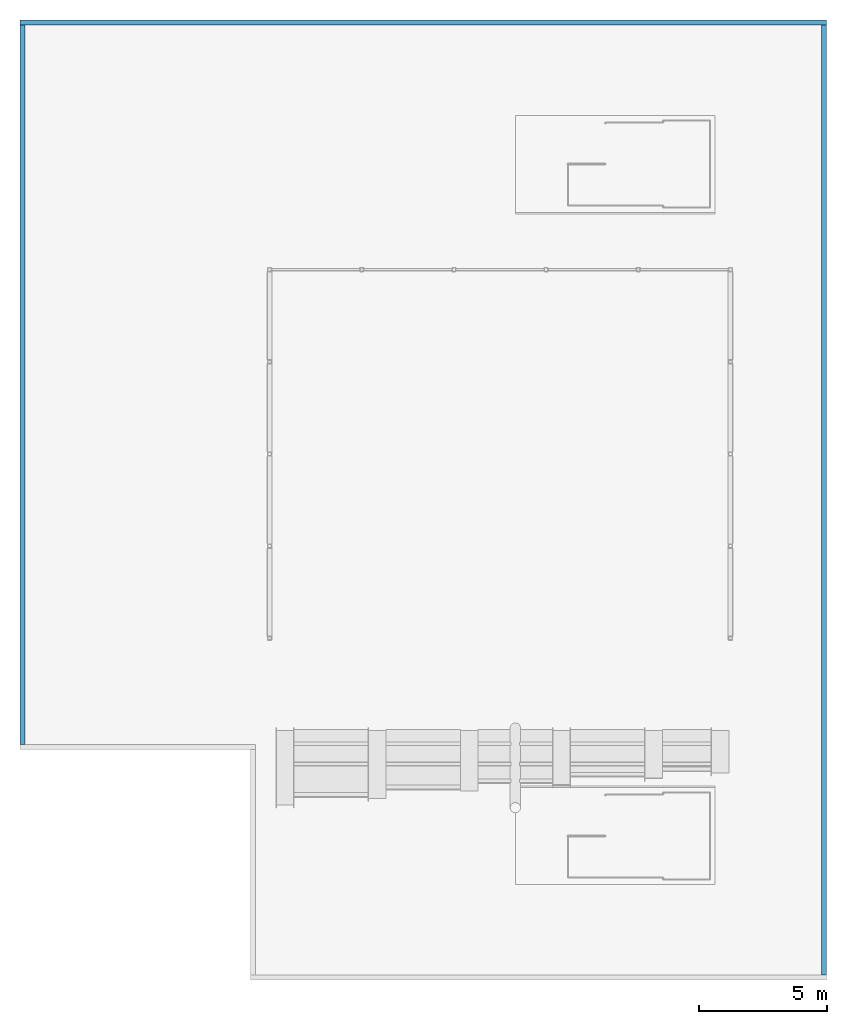
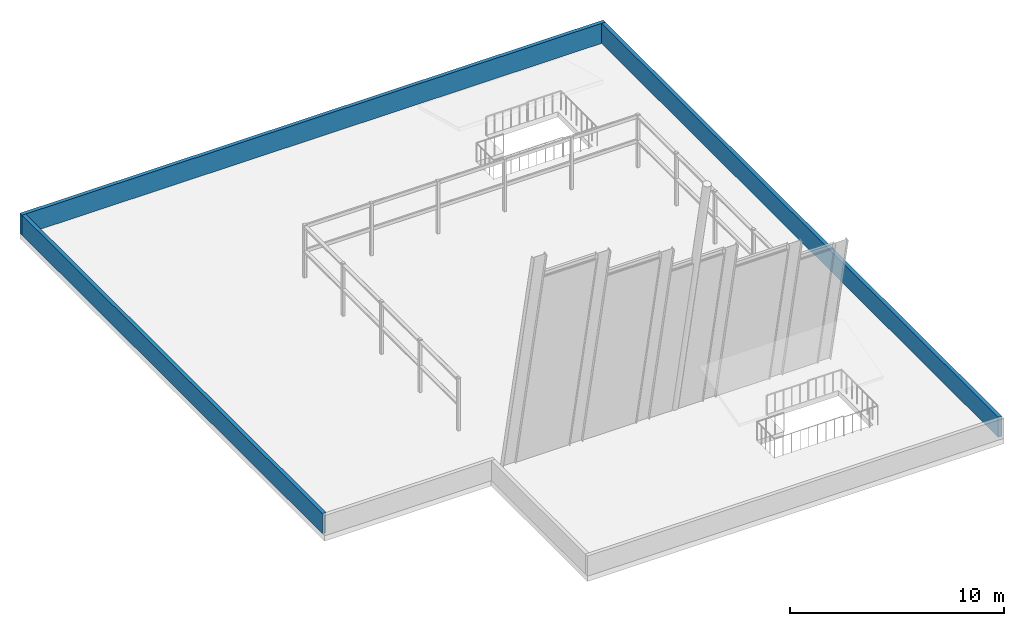
# One storey, part 4 of 5: 3 walls.
"""IFC4 building model written with IfcOpenShell, lengths in metres."""

import ifcopenshell
import ifcopenshell.guid

model = None  # the IFC model being written
_history = None  # IfcOwnerHistory: only IFC2X3 demands one
_inside = {}  # id of a spatial element -> (the spatial element, [elements in it])
_under = {}  # id of a project, library or spatial element -> (it, [spatial elements below it])
_declared = {}  # id of a project -> (the project, [libraries it declares])
_typed = {}  # id of a type object -> (the type object, [elements of that type])
_made_of = {}  # id of a material, layer set ... -> (it, [elements and type objects made of it])


def new_model(schema):
    """Start an empty IFC model of exactly this schema.

    Asked for "IFC4X3", IfcOpenShell would pick the latest addendum, in which some entities
    have other attributes; the version numbers below select the first issue.
    IFC2X3 requires an IfcOwnerHistory on every rooted entity: one is made here for all.
    """
    global model, _history
    if schema == "IFC4X3":
        model = ifcopenshell.file(schema_version=(4, 3, 0, 0))
    else:
        model = ifcopenshell.file(schema=schema)
    _inside.clear()
    _under.clear()
    _declared.clear()
    _typed.clear()
    _made_of.clear()
    _history = None
    if model.schema == "IFC2X3":
        org = make("IfcOrganization", Name="unknown")
        user = make(
            "IfcPersonAndOrganization",
            ThePerson=make("IfcPerson", FamilyName="unknown"),
            TheOrganization=org,
        )
        app = make(
            "IfcApplication",
            ApplicationDeveloper=org,
            Version="unknown",
            ApplicationFullName="unknown",
            ApplicationIdentifier="unknown",
        )
        _history = make(
            "IfcOwnerHistory",
            OwningUser=user,
            OwningApplication=app,
            ChangeAction="ADDED",
            CreationDate=0,
        )
    return model


def make(cls, **values):
    """One entity of the class cls with the attributes given. An attribute that is None is left unset."""
    return model.create_entity(
        cls, **{name: value for name, value in values.items() if value is not None}
    )


def rooted(cls, **values):
    """An entity with a GlobalId (a new one), such as an element, a storey or a relation."""
    return make(cls, GlobalId=ifcopenshell.guid.new(), OwnerHistory=_history, **values)


def si_unit(unit_type, name, prefix=None):
    """IfcSIUnit, for example si_unit("LENGTHUNIT", "METRE", prefix="MILLI")."""
    return make("IfcSIUnit", UnitType=unit_type, Prefix=prefix, Name=name)


def assignment(units):
    """IfcUnitAssignment: the units of a project."""
    return None if units is None else make("IfcUnitAssignment", Units=units)


def point(xyz):
    """IfcCartesianPoint."""
    return None if xyz is None else make("IfcCartesianPoint", Coordinates=xyz)


def direction(xyz):
    """IfcDirection."""
    return None if xyz is None else make("IfcDirection", DirectionRatios=xyz)


def frame(location, z_axis=None, x_axis=None):
    """IfcAxis2Placement3D, a coordinate frame: its origin and axes. An axis left out is left unset."""
    return make(
        "IfcAxis2Placement3D",
        Location=point(location),
        Axis=direction(z_axis),
        RefDirection=direction(x_axis),
    )


def frame_2d(location, x_axis=None):
    """IfcAxis2Placement2D, a coordinate frame in the plane: its origin and x axis."""
    return make(
        "IfcAxis2Placement2D", Location=point(location), RefDirection=direction(x_axis)
    )


def origin():
    """The frame at (0, 0, 0) with its axes left unset."""
    return frame((0.0, 0.0, 0.0))


def place(relative_to, where):
    """IfcLocalPlacement: puts the frame where relative to a parent placement (None: the world)."""
    return make(
        "IfcLocalPlacement", PlacementRelTo=relative_to, RelativePlacement=where
    )


def context(
    kind, dimensions, precision=None, world=None, true_north=None, identifier=None
):
    """IfcGeometricRepresentationContext, for example the 3D "Model" context."""
    return make(
        "IfcGeometricRepresentationContext",
        ContextIdentifier=identifier,
        ContextType=kind,
        CoordinateSpaceDimension=dimensions,
        Precision=precision,
        WorldCoordinateSystem=world,
        TrueNorth=true_north,
    )


def subcontext(parent, identifier, kind, view, scale=None):
    """IfcGeometricRepresentationSubContext, for example "Body" below "Model"."""
    return make(
        "IfcGeometricRepresentationSubContext",
        ContextIdentifier=identifier,
        ContextType=kind,
        ParentContext=parent,
        TargetScale=scale,
        TargetView=view,
    )


def project(units=None, contexts=None):
    """IfcProject with its units and contexts."""
    return rooted(
        "IfcProject",
        Name="project",
        RepresentationContexts=contexts,
        UnitsInContext=assignment(units),
    )


def spatial(cls, under=None, at=None, **own):
    """A site, building, storey or space (cls), placed at a placement, below another one or the project."""
    s = rooted(cls, ObjectPlacement=at, **own)
    if under is not None:
        _under.setdefault(under.id(), (under, []))[1].append(s)
    return s


def profile(cls, at=None, kind="AREA", **sizes):
    """A parametric profile (cls). Its sizes go by their IFC names, for example OverallWidth=200.0."""
    return make(cls, ProfileType=kind, Position=at, **sizes)


def rectangle(**sizes):
    """IfcRectangleProfileDef."""
    return profile("IfcRectangleProfileDef", **sizes)


def extrude(swept, where, along, depth):
    """IfcExtrudedAreaSolid: the profile swept, set in the frame where, extruded along a direction by depth."""
    return make(
        "IfcExtrudedAreaSolid",
        SweptArea=swept,
        Position=where,
        ExtrudedDirection=direction(along),
        Depth=depth,
    )


def shape(context_of_items, identifier, shape_type, items):
    """IfcShapeRepresentation: the items that make up one representation, for example the "Body"."""
    return make(
        "IfcShapeRepresentation",
        ContextOfItems=context_of_items,
        RepresentationIdentifier=identifier,
        RepresentationType=shape_type,
        Items=items,
    )


def material(Name=None, Category=None):
    """IfcMaterial."""
    return make("IfcMaterial", Name=Name, Category=Category)


def layer(
    of_material, thickness, ventilated=None, Name=None, Category=None, Priority=None
):
    """IfcMaterialLayer: one layer of a wall or slab, of a material (None: an air gap)."""
    return make(
        "IfcMaterialLayer",
        Material=of_material,
        LayerThickness=thickness,
        IsVentilated=ventilated,
        Name=Name,
        Category=Category,
        Priority=Priority,
    )


def layer_set(layers, Name=None):
    """IfcMaterialLayerSet."""
    return make("IfcMaterialLayerSet", MaterialLayers=layers, LayerSetName=Name)


def made_of(thing, what):
    """Note that an element or type object is made of a material, layer set ...; save() writes the relation."""
    if what is not None:
        _made_of.setdefault(what.id(), (what, []))[1].append(thing)
    return thing


def type_object(cls, material=None, **own):
    """A type object (cls), such as IfcWallType, which elements share."""
    return made_of(rooted(cls, **own), material)


def element(
    cls,
    number,
    at=None,
    inside=None,
    cuts=None,
    type_object=None,
    material=None,
    context=None,
    identifier="Body",
    shape_type=None,
    held_by="IfcProductDefinitionShape",
    body=None,
    shapes=None,
    **own,
):
    """One element of the class cls, such as IfcWall. Its Tag is "e" and its number.

    at: its placement. inside: the storey or other place that contains it. cuts: it is an
    opening in that element (IfcRelVoidsElement). A single representation is given by context,
    identifier, shape_type and body (its items); several are given by shapes. held_by: the class
    of the entity that holds the representations. save() writes the other relations.
    """
    e = rooted(cls, Tag="e%d" % number, ObjectPlacement=at, **own)
    if body is not None:
        shapes = [shape(context, identifier, shape_type, body)]
    if shapes is not None:
        e.Representation = make(held_by, Representations=shapes)
    if inside is not None:
        _inside.setdefault(inside.id(), (inside, []))[1].append(e)
    if cuts is not None:
        rooted(
            "IfcRelVoidsElement", RelatingBuildingElement=cuts, RelatedOpeningElement=e
        )
    if type_object is not None:
        _typed.setdefault(type_object.id(), (type_object, []))[1].append(e)
    return made_of(e, material)


def aggregate(whole, parts):
    """IfcRelAggregates: a whole, such as a stair, and the parts it consists of."""
    return rooted("IfcRelAggregates", RelatingObject=whole, RelatedObjects=parts)


def save(model, path):
    """Write the relations noted so far, then the file.

    IfcRelAggregates (storeys below a building ...), IfcRelContainedInSpatialStructure (elements
    in a storey), IfcRelDefinesByType, IfcRelAssociatesMaterial and IfcRelDeclares: one each for
    every whole, place, type object, material and project.
    """
    for whole, parts in _under.values():
        aggregate(whole, parts)
    for where, things in _inside.values():
        rooted(
            "IfcRelContainedInSpatialStructure",
            RelatedElements=things,
            RelatingStructure=where,
        )
    for kind, things in _typed.values():
        rooted("IfcRelDefinesByType", RelatedObjects=things, RelatingType=kind)
    for what, things in _made_of.values():
        rooted("IfcRelAssociatesMaterial", RelatedObjects=things, RelatingMaterial=what)
    for by, libraries in _declared.values():
        rooted("IfcRelDeclares", RelatingContext=by, RelatedDefinitions=libraries)
    model.write(path)


model = new_model("IFC4")

# Units and contexts
model_context = context("Model", 3, precision=1e-05, world=origin(), true_north=direction((0.0, 1.0)))
body_context = subcontext(model_context, "Body", "Model", "MODEL_VIEW")
ifc_project = project(units=[si_unit("LENGTHUNIT", "METRE"), si_unit("AREAUNIT", "SQUARE_METRE"), si_unit("VOLUMEUNIT", "CUBIC_METRE"), si_unit("PLANEANGLEUNIT", "RADIAN"), si_unit("MASSUNIT", "GRAM", prefix="KILO")], contexts=[model_context])

# Site, building, storey
site_placement = place(None, origin())
site = spatial("IfcSite", under=ifc_project, at=site_placement, CompositionType="ELEMENT")
building_placement = place(site_placement, origin())
building = spatial("IfcBuilding", under=site, at=building_placement, Name="Tuart Plaza Theatre", CompositionType="ELEMENT")
storey_placement = place(building_placement, frame((0.0, 0.0, 70.5)))
storey = spatial("IfcBuildingStorey", under=building, at=storey_placement, Name="ROOF", CompositionType="ELEMENT", Elevation=70.5)

# Walls
ifc_material = material(Name="Concrete N40 (40 MPa)", Category="concrete")
ifc_layer = layer(ifc_material, 0.199951171875)
ifc_layer_set = layer_set([ifc_layer], Name="PARAPET RC200 EXT")
wall_type = type_object("IfcWallType", Name="PARAPET RC200 EXT", PredefinedType="PARAPET", material=ifc_layer_set)
wall_1_placement = place(storey_placement, frame((113.25, 92.64990234375, 0.0), z_axis=(0.0, 0.0, 1.0), x_axis=(1.0, 0.0, 0.0)))
element("IfcWall", 1, at=wall_1_placement, inside=storey, type_object=wall_type, Name="P184", PredefinedType="PARAPET", context=body_context, shape_type="SweptSolid", body=[
    extrude(rectangle(XDim=31.5, YDim=0.199951171875, at=frame_2d((15.75, 0.0))), origin(), (0.0, 0.0, 1.0), 1.14990234375),
])
wall_2_placement = place(storey_placement, frame((144.64990234375, 92.550048828125, 0.0), z_axis=(0.0, 0.0, 1.0), x_axis=(0.0, -1.0, 0.0)))
element("IfcWall", 2, at=wall_2_placement, inside=storey, type_object=wall_type, Name="P185", PredefinedType="PARAPET", context=body_context, shape_type="SweptSolid", body=[
    extrude(rectangle(XDim=37.10009765625, YDim=0.199951171875, at=frame_2d((18.550048828125, 0.0))), origin(), (0.0, 0.0, 1.0), 1.14990234375),
])
wall_3_placement = place(storey_placement, frame((113.35009765625, 64.449951171875, 0.0), z_axis=(0.0, 0.0, 1.0), x_axis=(0.0, 1.0, 0.0)))
element("IfcWall", 3, at=wall_3_placement, inside=storey, type_object=wall_type, Name="P189", PredefinedType="PARAPET", context=body_context, shape_type="SweptSolid", body=[
    extrude(rectangle(XDim=28.10009765625, YDim=0.199951171875, at=frame_2d((14.050048828125, 0.0))), origin(), (0.0, 0.0, 1.0), 1.14990234375),
])

save(model, "model.ifc")
